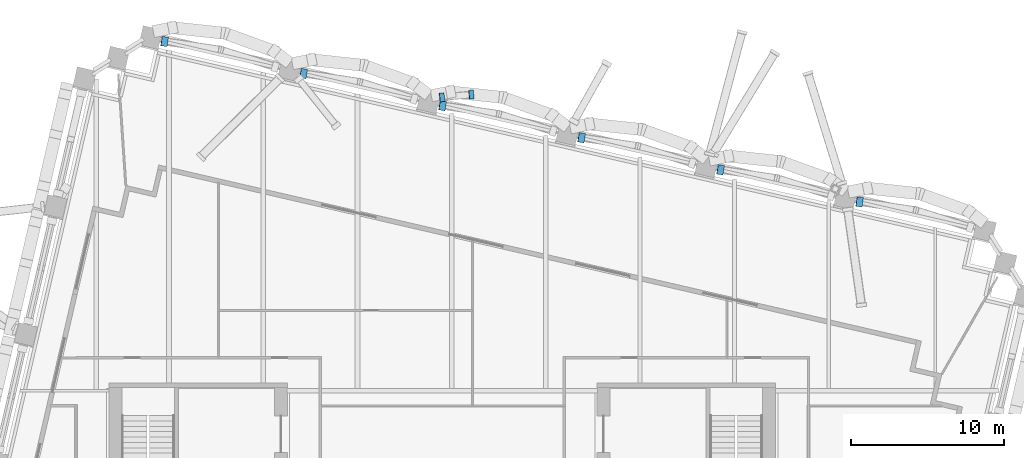
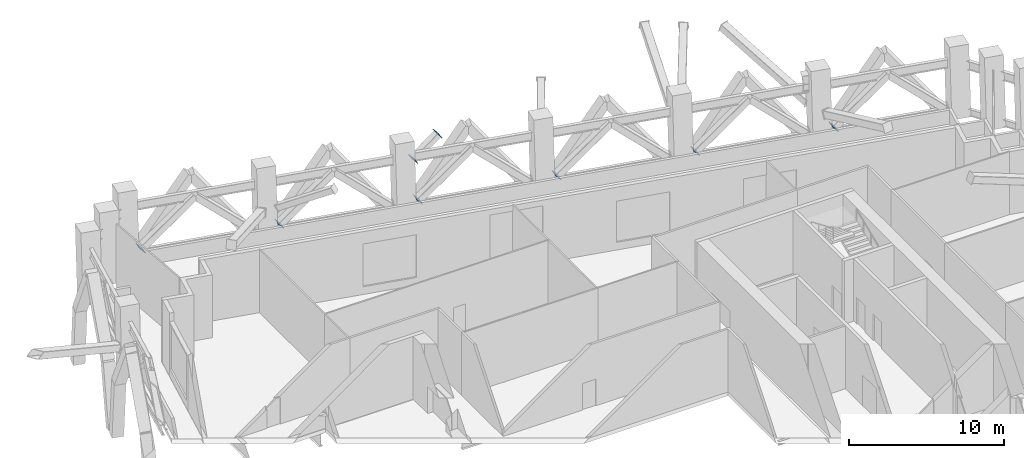
# One storey, part 17 of 20: 8 discrete accessories.
"""IFC4 building model written with IfcOpenShell, lengths in metres."""

from ifc_helpers import new_model, si_unit, direction, frame, origin, origin_2d, place, context, subcontext, project, spatial, rectangle, extrude, material, material_profile, profile_set, type_object, element, save


model = new_model("IFC4")

# Units and contexts
model_context = context("Model", 3, precision=1e-05, world=origin(), true_north=direction((0.0, 1.0)))
body_context = subcontext(model_context, "Body", "Model", "MODEL_VIEW")
ifc_project = project(units=[si_unit("LENGTHUNIT", "METRE"), si_unit("AREAUNIT", "SQUARE_METRE"), si_unit("VOLUMEUNIT", "CUBIC_METRE"), si_unit("PLANEANGLEUNIT", "RADIAN"), si_unit("MASSUNIT", "GRAM", prefix="KILO")], contexts=[model_context])

# Site, building, storey
site_placement = place(None, origin())
site = spatial("IfcSite", under=ifc_project, at=site_placement, CompositionType="ELEMENT")
building_placement = place(site_placement, origin())
building = spatial("IfcBuilding", under=site, at=building_placement, Name="Ogive Exchange Tower", CompositionType="ELEMENT")
storey_placement = place(building_placement, frame((0.0, 0.0, 160.199951171875)))
storey = spatial("IfcBuildingStorey", under=building, at=storey_placement, Name="L35", CompositionType="ELEMENT", Elevation=160.199951171875)

# Discrete accessories
ifc_material = material(Name="Steel ASTM A572 Gr50", Category="steel")
ifc_material_profile_1 = material_profile(ifc_material, rectangle(XDim=0.576904296875, YDim=0.576904296875, at=origin_2d()), Name="PL 577 x 577 x 25")
ifc_profile_set_1 = profile_set([ifc_material_profile_1], Name="Steel ASTM A572 Gr50")
discrete_accessory_type_1 = type_object("IfcDiscreteAccessoryType", Name="Gusset plate 577 x 577 x 25", PredefinedType="USERDEFINED", material=ifc_profile_set_1)
for number, where, z_axis, x_axis, name in (
    (1, (-0.029296875, 44.470703125, 3.54443359375), (0.842045018183, 0.087108105329, 0.532327310345), (-0.102899151086, 0.994691793827, 0.0), "Block-change strut 18 end plate A"),
    (2, (1.89453125, 44.653076171875, 4.74267578125), (0.847058893232, 0.077890472941, 0.525760692351), (-0.091567710563, 0.99579885237, 0.0), "Block-change strut 18 end plate B"),
):
    element("IfcDiscreteAccessory", number, at=place(storey_placement, frame(where, z_axis=z_axis, x_axis=x_axis)), inside=storey, type_object=discrete_accessory_type_1, Name=name, ObjectType="GUSSET PLATE", PredefinedType="USERDEFINED", context=body_context, shape_type="SweptSolid", body=[
        extrude(rectangle(XDim=0.576904296875, YDim=0.576904296875, at=origin_2d()), origin(), (0.0, 0.0, 1.0), 0.025146484375),
    ])
ifc_material_profile_2 = material_profile(ifc_material, rectangle(XDim=0.6279296875, YDim=0.6279296875, at=origin_2d()), Name="PL 628 x 628 x 25")
ifc_profile_set_2 = profile_set([ifc_material_profile_2], Name="Steel ASTM A572 Gr50")
discrete_accessory_type_2 = type_object("IfcDiscreteAccessoryType", Name="Gusset plate 628 x 628 x 25", PredefinedType="USERDEFINED", material=ifc_profile_set_2)
for number, where, z_axis, x_axis, name in (
    (3, (27.339599609375, 37.6171875, 0.66796875), (0.745293143645, -0.106470449092, 0.658180958024), (0.141421356237, 0.989949493661, 0.0), "Belt truss diagonal 18b end plate A"),
    (4, (18.229248046875, 39.720703125, 0.66796875), (0.740134917775, -0.11686340807, 0.662225979062), (0.155962573473, 0.987762965329, 0.0), "Belt truss diagonal 19b end plate A"),
    (5, (9.118896484375, 41.823974609375, 0.66796875), (0.740134917775, -0.11686340807, 0.662225979062), (0.155962573473, 0.987762965329, 0.0), "Belt truss diagonal 20b end plate A"),
    (6, (0.008544921875, 43.92724609375, 0.66796875), (0.740134917775, -0.11686340807, 0.662225979062), (0.155962573473, 0.987762965329, 0.0), "Belt truss diagonal 21b end plate A"),
    (7, (-9.101806640625, 46.030517578125, 0.66796875), (0.740134917775, -0.11686340807, 0.662225979062), (0.155962573473, 0.987762965329, 0.0), "Belt truss diagonal 22b end plate A"),
    (8, (-18.212158203125, 48.1337890625, 0.66796875), (0.740943482061, -0.107241819772, 0.662949431317), (0.143244224733, 0.989687370881, 0.0), "Belt truss diagonal 23b end plate A"),
):
    element("IfcDiscreteAccessory", number, at=place(storey_placement, frame(where, z_axis=z_axis, x_axis=x_axis)), inside=storey, type_object=discrete_accessory_type_2, Name=name, ObjectType="GUSSET PLATE", PredefinedType="USERDEFINED", context=body_context, shape_type="SweptSolid", body=[
        extrude(rectangle(XDim=0.6279296875, YDim=0.6279296875, at=origin_2d()), origin(), (0.0, 0.0, 1.0), 0.025146484375),
    ])

save(model, "model.ifc")
